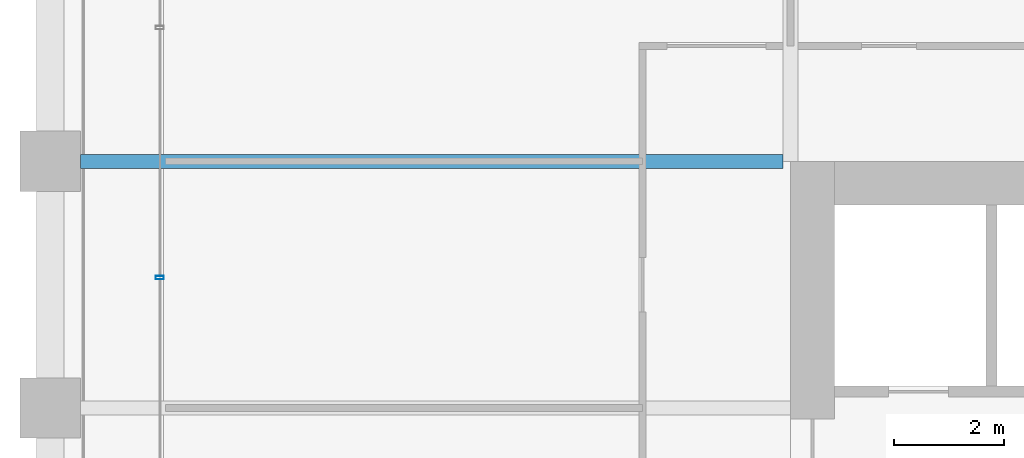
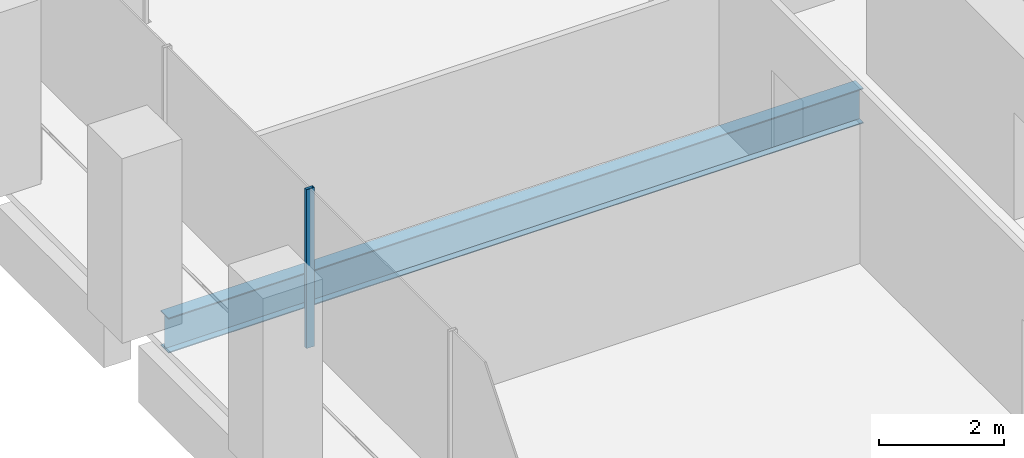
# One storey, part 14 of 56: 1 beam, 1 member, 1 element without a shape of its own.
"""IFC4 building model written with IfcOpenShell, lengths in metres."""

from ifc_helpers import new_model, si_unit, direction, frame, origin, origin_2d, place, context, subcontext, project, spatial, hollow_rectangle, i_section, extrude, material, material_profile, profile_set, type_object, element, aggregate, save


model = new_model("IFC4")

# Units and contexts
model_context = context("Model", 3, precision=1e-05, world=origin(), true_north=direction((0.0, 1.0)))
body_context = subcontext(model_context, "Body", "Model", "MODEL_VIEW")
ifc_project = project(units=[si_unit("LENGTHUNIT", "METRE"), si_unit("AREAUNIT", "SQUARE_METRE"), si_unit("VOLUMEUNIT", "CUBIC_METRE"), si_unit("PLANEANGLEUNIT", "RADIAN"), si_unit("MASSUNIT", "GRAM", prefix="KILO")], contexts=[model_context])

# Site, building, storey
site_placement = place(None, origin())
site = spatial("IfcSite", under=ifc_project, at=site_placement, CompositionType="ELEMENT")
building_placement = place(site_placement, origin())
building = spatial("IfcBuilding", under=site, at=building_placement, Name="Altepetl Exchange Towers", CompositionType="ELEMENT")
storey_placement = place(building_placement, frame((0.0, 0.0, 54.60009765625)))
storey = spatial("IfcBuildingStorey", under=building, at=storey_placement, Name="L12", CompositionType="ELEMENT", Elevation=54.60009765625)

# Beam
ifc_material_1 = material(Name="Steel S355", Category="steel")
ifc_material_profile_1 = material_profile(ifc_material_1, i_section(OverallWidth=0.25390625, OverallDepth=0.68408203125, WebThickness=0.012451171875, FlangeThickness=0.018798828125, at=origin_2d()), Name="W27X94")
ifc_profile_set_1 = profile_set([ifc_material_profile_1], Name="Steel S355")
beam_type = type_object("IfcBeamType", Name="Floor beam W27X94", PredefinedType="BEAM", material=ifc_profile_set_1)
beam_placement = place(storey_placement, frame((27.550048828125, 58.5, -0.4921875), z_axis=(1.0, 0.0, 0.0), x_axis=(0.0, 1.0, 0.0)))
element("IfcBeam", 1, at=beam_placement, inside=storey, type_object=beam_type, Name="bm:A:L12:021", PredefinedType="BEAM", context=body_context, shape_type="SweptSolid", body=[
    extrude(i_section(OverallWidth=0.25390625, OverallDepth=0.68408203125, WebThickness=0.012451171875, FlangeThickness=0.018798828125, at=origin_2d()), origin(), (0.0, 0.0, 1.0), 12.81591796875),
])

# Curtain wall, member
ifc_material_2 = material(Name="Aluminium 6063-T6 glazing", Category="aluminium")
curtain_wall_type = type_object("IfcCurtainWallType", Name="Loggia glazing system", PredefinedType="NOTDEFINED", material=ifc_material_2)
curtain_wall_placement = place(storey_placement, origin())
curtain_wall = element("IfcCurtainWall", 2, at=curtain_wall_placement, inside=storey, type_object=curtain_wall_type, Name="CW1 run", PredefinedType="NOTDEFINED")
ifc_material_3 = material(Name="Aluminium 6063-T6", Category="aluminium")
ifc_material_profile_2 = material_profile(ifc_material_3, hollow_rectangle(XDim=0.06005859375, YDim=0.14990234375, WallThickness=0.0029296875, at=origin_2d()), Name="Mullion 60x150 aluminium")
ifc_profile_set_2 = profile_set([ifc_material_profile_2], Name="Aluminium 6063-T6")
member_type = type_object("IfcMemberType", Name="Mullion 60x150 aluminium", PredefinedType="MULLION", material=ifc_profile_set_2)
member_placement = place(storey_placement, frame((29.0, 56.378662109375, 0.0), z_axis=(0.0, 0.0, 1.0), x_axis=(0.0, -1.0, 0.0)))
member = element("IfcMember", 3, at=member_placement, type_object=member_type, Name="MU1 mullion", PredefinedType="MULLION", context=body_context, shape_type="SweptSolid", body=[
    extrude(hollow_rectangle(XDim=0.06005859375, YDim=0.14990234375, WallThickness=0.0029296875, at=origin_2d()), origin(), (0.0, 0.0, 1.0), 3.099853515625),
])
aggregate(curtain_wall, [member])

save(model, "model.ifc")
